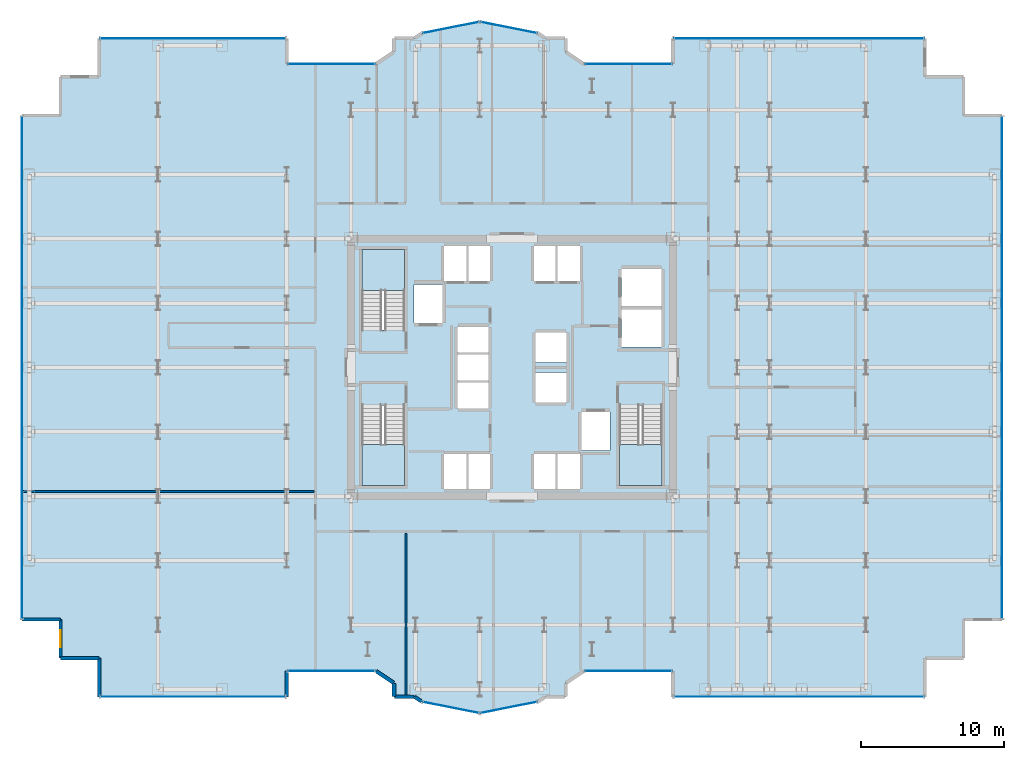
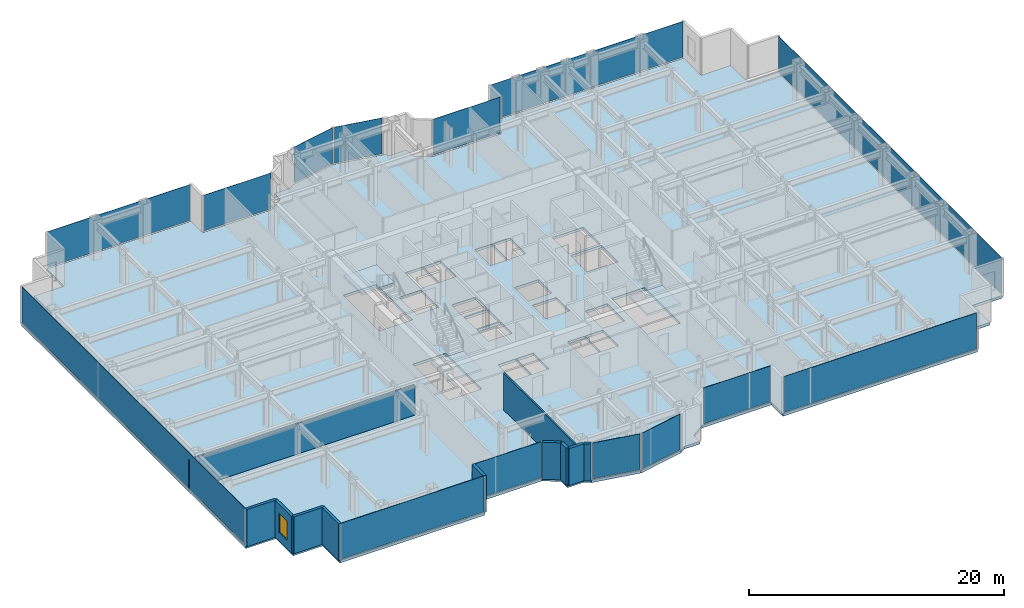
# One storey, part 19 of 26: 14 plates, 11 walls, 4 slabs, 1 window, 1 opening, 17 elements without a shape of their own.
"""IFC4 building model written with IfcOpenShell, lengths in metres."""

from ifc_helpers import new_model, si_unit, direction, frame, frame_2d, origin, origin_2d, place, context, subcontext, project, spatial, polyline, rectangle, outline, extrude, source, transform, mapped, material, layer, layer_set, type_object, element, fill, aggregate, save


model = new_model("IFC4")

# Units and contexts
model_context = context("Model", 3, precision=1e-05, world=origin(), true_north=direction((0.0, 1.0)))
body_context = subcontext(model_context, "Body", "Model", "MODEL_VIEW")
ifc_project = project(units=[si_unit("LENGTHUNIT", "METRE"), si_unit("AREAUNIT", "SQUARE_METRE"), si_unit("VOLUMEUNIT", "CUBIC_METRE"), si_unit("PLANEANGLEUNIT", "RADIAN"), si_unit("MASSUNIT", "GRAM", prefix="KILO")], contexts=[model_context])

# Site, building, storey
site_placement = place(None, origin())
site = spatial("IfcSite", under=ifc_project, at=site_placement, CompositionType="ELEMENT")
building_placement = place(site_placement, origin())
building = spatial("IfcBuilding", under=site, at=building_placement, Name="Nefas-Gora Pilgrimage Tower", CompositionType="ELEMENT")
storey_placement = place(building_placement, frame((0.0, 0.0, 132.60009765625)))
storey = spatial("IfcBuildingStorey", under=building, at=storey_placement, Name="L32", CompositionType="ELEMENT", Elevation=132.60009765625)

# Slab
ifc_material_1 = material(Name="Concrete C40/50", Category="concrete")
ifc_layer_1 = layer(ifc_material_1, 0.25)
ifc_layer_set_1 = layer_set([ifc_layer_1], Name="Concrete C40/50")
slab_type_1 = type_object("IfcSlabType", Name="SLB-TWR-250", PredefinedType="FLOOR", material=ifc_layer_set_1)
slab_1_placement = place(storey_placement, frame((0.0, 0.0, -0.25)))
element("IfcSlab", 1, at=slab_1_placement, inside=storey, type_object=slab_type_1, Name="L32 Structural Floor Slab", PredefinedType="FLOOR", context=body_context, shape_type="SweptSolid", body=[
    extrude(outline(polyline([(5.01806640625, -21.219970703125), (11.25, -21.219970703125), (11.25, -23.02001953125), (28.8701171875, -23.02001953125), (28.8701171875, -20.320068359375), (31.570068359375, -20.320068359375), (31.570068359375, -17.6201171875), (34.27001953125, -17.6201171875), (34.27001953125, 17.6201171875), (31.570068359375, 17.6201171875), (31.570068359375, 20.320068359375), (28.8701171875, 20.320068359375), (28.8701171875, 23.02001953125), (11.25, 23.02001953125), (11.25, 21.219970703125), (5.01806640625, 21.219970703125), (3.75, 22.0673828125), (3.75, 23.02001953125), (2.32421875, 23.02001953125), (1.807373046875, 23.365234375), (-2.25, 24.17236328125), (-6.307373046875, 23.365234375), (-6.82421875, 23.02001953125), (-8.25, 23.02001953125), (-8.25, 22.0673828125), (-9.51806640625, 21.219970703125), (-15.75, 21.219970703125), (-15.75, 23.02001953125), (-28.8701171875, 23.02001953125), (-28.8701171875, 20.320068359375), (-31.570068359375, 20.320068359375), (-31.570068359375, 17.6201171875), (-34.27001953125, 17.6201171875), (-34.27001953125, -17.6201171875), (-31.570068359375, -17.6201171875), (-31.570068359375, -20.320068359375), (-28.8701171875, -20.320068359375), (-28.8701171875, -23.02001953125), (-15.75, -23.02001953125), (-15.75, -21.219970703125), (-9.51806640625, -21.219970703125), (-8.25, -22.0673828125), (-8.25, -23.02001953125), (-6.82421875, -23.02001953125), (-6.307373046875, -23.365234375), (-2.25, -24.17236328125), (1.807373046875, -23.365234375), (2.32421875, -23.02001953125), (3.75, -23.02001953125), (3.75, -22.0673828125), (5.01806640625, -21.219970703125)]), holes=[polyline([(-10.5, 2.639892578125), (-10.5, 8.25), (-7.5, 8.25), (-7.5, 2.639892578125), (-10.5, 2.639892578125)]), polyline([(10.5, -2.639892578125), (10.5, -8.25), (7.5, -8.25), (7.5, -2.639892578125), (10.5, -2.639892578125)]), polyline([(-7.5, -2.639892578125), (-7.5, -8.25), (-10.5, -8.25), (-10.5, -2.639892578125), (-7.5, -2.639892578125)]), polyline([(-6.85009765625, 5.800048828125), (-4.85009765625, 5.800048828125), (-4.85009765625, 3.10009765625), (-6.85009765625, 3.10009765625), (-6.85009765625, 5.800048828125)]), polyline([(4.85009765625, -3.10009765625), (6.85009765625, -3.10009765625), (6.85009765625, -5.800048828125), (4.85009765625, -5.800048828125), (4.85009765625, -3.10009765625)]), polyline([(7.64990234375, 4.050048828125), (10.449951171875, 4.050048828125), (10.449951171875, 1.449951171875), (7.64990234375, 1.449951171875), (7.64990234375, 4.050048828125)]), polyline([(7.64990234375, 6.89990234375), (10.449951171875, 6.89990234375), (10.449951171875, 4.300048828125), (7.64990234375, 4.300048828125), (7.64990234375, 6.89990234375)]), polyline([(-4.75, 8.5), (-3.14990234375, 8.5), (-3.14990234375, 6.050048828125), (-4.75, 6.050048828125), (-4.75, 8.5)]), polyline([(-3.10009765625, 8.5), (-1.550048828125, 8.5), (-1.550048828125, 6.050048828125), (-3.10009765625, 6.050048828125), (-3.10009765625, 8.5)]), polyline([(1.550048828125, 8.5), (3.10009765625, 8.5), (3.10009765625, 6.050048828125), (1.550048828125, 6.050048828125), (1.550048828125, 8.5)]), polyline([(3.14990234375, 8.5), (4.75, 8.5), (4.75, 6.050048828125), (3.14990234375, 6.050048828125), (3.14990234375, 8.5)]), polyline([(-4.75, -6.050048828125), (-3.14990234375, -6.050048828125), (-3.14990234375, -8.5), (-4.75, -8.5), (-4.75, -6.050048828125)]), polyline([(-3.10009765625, -6.050048828125), (-1.550048828125, -6.050048828125), (-1.550048828125, -8.5), (-3.10009765625, -8.5), (-3.10009765625, -6.050048828125)]), polyline([(1.550048828125, -6.050048828125), (3.10009765625, -6.050048828125), (3.10009765625, -8.5), (1.550048828125, -8.5), (1.550048828125, -6.050048828125)]), polyline([(3.14990234375, -6.050048828125), (4.75, -6.050048828125), (4.75, -8.5), (3.14990234375, -8.5), (3.14990234375, -6.050048828125)]), polyline([(-3.800048828125, -1.050048828125), (-1.64990234375, -1.050048828125), (-1.64990234375, -2.85009765625), (-3.800048828125, -2.85009765625), (-3.800048828125, -1.050048828125)]), polyline([(-3.800048828125, 0.89990234375), (-1.64990234375, 0.89990234375), (-1.64990234375, -0.89990234375), (-3.800048828125, -0.89990234375), (-3.800048828125, 0.89990234375)]), polyline([(-3.800048828125, 2.85009765625), (-1.64990234375, 2.85009765625), (-1.64990234375, 1.050048828125), (-3.800048828125, 1.050048828125), (-3.800048828125, 2.85009765625)]), polyline([(1.64990234375, -0.35009765625), (3.800048828125, -0.35009765625), (3.800048828125, -2.449951171875), (1.64990234375, -2.449951171875), (1.64990234375, -0.35009765625)]), polyline([(1.64990234375, 2.449951171875), (3.800048828125, 2.449951171875), (3.800048828125, 0.35009765625), (1.64990234375, 0.35009765625), (1.64990234375, 2.449951171875)])]), origin(), (0.0, 0.0, 1.0), 0.25),
])

# Stair, slab
ifc_material_2 = material(Name="Concrete C45/55", Category="concrete")
stair_type = type_object("IfcStairType", Name="STR-1400-R1727", PredefinedType="HALF_TURN_STAIR", material=ifc_material_2)
stair_1_placement = place(storey_placement, origin())
stair_1 = element("IfcStair", 2, at=stair_1_placement, inside=storey, type_object=stair_type, Name="L32 Pressurised Tower Exit Stair ST-01", PredefinedType="HALF_TURN_STAIR")
ifc_layer_2 = layer(ifc_material_1, 0.199951171875)
ifc_layer_set_2 = layer_set([ifc_layer_2], Name="Concrete C40/50")
slab_type_2 = type_object("IfcSlabType", Name="STR-LAND-200", PredefinedType="LANDING", material=ifc_layer_set_2)
slab_2_placement = place(storey_placement, frame((0.0, 0.0, 1.699951171875)))
slab_2 = element("IfcSlab", 3, at=slab_2_placement, type_object=slab_type_2, Name="ST-01 landing 1", PredefinedType="LANDING", context=body_context, shape_type="SweptSolid", body=[
    extrude(outline(polyline([(-7.5, 5.39990234375), (-7.5, 8.25), (-10.5, 8.25), (-10.5, 5.39990234375), (-7.5, 5.39990234375)])), origin(), (0.0, 0.0, 1.0), 0.199951171875),
])
aggregate(stair_1, [slab_2])

stair_2_placement = place(storey_placement, origin())
stair_2 = element("IfcStair", 4, at=stair_2_placement, inside=storey, type_object=stair_type, Name="L32 Pressurised Tower Exit Stair ST-02", PredefinedType="HALF_TURN_STAIR")
slab_3_placement = place(storey_placement, frame((0.0, 0.0, 1.699951171875)))
slab_3 = element("IfcSlab", 5, at=slab_3_placement, type_object=slab_type_2, Name="ST-02 landing 1", PredefinedType="LANDING", context=body_context, shape_type="SweptSolid", body=[
    extrude(outline(polyline([(7.5, -5.39990234375), (7.5, -8.25), (10.5, -8.25), (10.5, -5.39990234375), (7.5, -5.39990234375)])), origin(), (0.0, 0.0, 1.0), 0.199951171875),
])
aggregate(stair_2, [slab_3])

stair_3_placement = place(storey_placement, origin())
stair_3 = element("IfcStair", 6, at=stair_3_placement, inside=storey, type_object=stair_type, Name="L32 Pressurised Tower Exit Stair ST-03", PredefinedType="HALF_TURN_STAIR")
slab_4_placement = place(storey_placement, frame((0.0, 0.0, 1.699951171875)))
slab_4 = element("IfcSlab", 7, at=slab_4_placement, type_object=slab_type_2, Name="ST-03 landing 1", PredefinedType="LANDING", context=body_context, shape_type="SweptSolid", body=[
    extrude(outline(polyline([(-10.5, -5.39990234375), (-10.5, -8.25), (-7.5, -8.25), (-7.5, -5.39990234375), (-10.5, -5.39990234375)])), origin(), (0.0, 0.0, 1.0), 0.199951171875),
])
aggregate(stair_3, [slab_4])

# Curtain wall, plate
ifc_material_3 = material(Name="Dark ceramic-fritted solar-control aluminium-glass curtain wall", Category="aluminium")
ifc_layer_3 = layer(ifc_material_3, 0.219970703125)
ifc_layer_set_3 = layer_set([ifc_layer_3], Name="Dark ceramic-fritted solar-control aluminium-glass curtain wall")
curtain_wall_type_1 = type_object("IfcCurtainWallType", Name="CW-SYS-5", PredefinedType="NOTDEFINED", material=ifc_layer_set_3)
curtain_wall_1_placement = place(storey_placement, origin())
curtain_wall_1 = element("IfcCurtainWall", 8, at=curtain_wall_1_placement, inside=storey, type_object=curtain_wall_type_1, Name="L32 Unitised Curtain Wall CW5", PredefinedType="NOTDEFINED")
ifc_material_4 = material(Name="Dark ceramic-printed low-e insulated glass", Category="glass")
ifc_layer_4 = layer(ifc_material_4, 0.028076171875)
ifc_layer_set_4 = layer_set([ifc_layer_4], Name="Dark ceramic-printed low-e insulated glass")
plate_type_1 = type_object("IfcPlateType", Name="CWP-PNL-5", PredefinedType="CURTAIN_PANEL", material=ifc_layer_set_4)
shared_shape_1 = source(origin(), body_context, "Body", "SweptSolid", [
    extrude(rectangle(XDim=6.052001953125, YDim=0.028076171875, at=origin_2d()), origin(), (0.0, 0.0, 1.0), 3.43994140625),
])
plate_1_placement = place(storey_placement, frame((8.134033203125, -21.219970703125, 0.099853515625), z_axis=(0.0, 0.0, 1.0), x_axis=(1.0, 0.0, 0.0)))
plate_1 = element("IfcPlate", 9, at=plate_1_placement, type_object=plate_type_1, Name="CW5 Ceramic-Fritted Glazing Panel 1", PredefinedType="CURTAIN_PANEL", context=body_context, shape_type="MappedRepresentation", body=[
    mapped(shared_shape_1, transform((0.0, 0.0, 0.0), x_axis=(1.0, 0.0, 0.0), y_axis=(0.0, 1.0, 0.0), z_axis=(0.0, 0.0, 1.0), scale=1.0)),
])
aggregate(curtain_wall_1, [plate_1])

curtain_wall_2_placement = place(storey_placement, origin())
curtain_wall_2 = element("IfcCurtainWall", 10, at=curtain_wall_2_placement, inside=storey, type_object=curtain_wall_type_1, Name="L32 Unitised Curtain Wall CW5", PredefinedType="NOTDEFINED")
plate_2_placement = place(storey_placement, frame((8.134033203125, 21.219970703125, 0.099853515625), z_axis=(0.0, 0.0, 1.0), x_axis=(-1.0, 0.0, 0.0)))
plate_2 = element("IfcPlate", 11, at=plate_2_placement, type_object=plate_type_1, Name="CW5 Ceramic-Fritted Glazing Panel 1", PredefinedType="CURTAIN_PANEL", context=body_context, shape_type="MappedRepresentation", body=[
    mapped(shared_shape_1, transform((0.0, 0.0, 0.0), x_axis=(1.0, 0.0, 0.0), y_axis=(0.0, 1.0, 0.0), z_axis=(0.0, 0.0, 1.0), scale=1.0)),
])
aggregate(curtain_wall_2, [plate_2])

curtain_wall_3_placement = place(storey_placement, origin())
curtain_wall_3 = element("IfcCurtainWall", 12, at=curtain_wall_3_placement, inside=storey, type_object=curtain_wall_type_1, Name="L32 Unitised Curtain Wall CW5", PredefinedType="NOTDEFINED")
plate_3_placement = place(storey_placement, frame((-12.634033203125, 21.219970703125, 0.099853515625), z_axis=(0.0, 0.0, 1.0), x_axis=(-1.0, 0.0, 0.0)))
plate_3 = element("IfcPlate", 13, at=plate_3_placement, type_object=plate_type_1, Name="CW5 Ceramic-Fritted Glazing Panel 1", PredefinedType="CURTAIN_PANEL", context=body_context, shape_type="MappedRepresentation", body=[
    mapped(shared_shape_1, transform((0.0, 0.0, 0.0), x_axis=(1.0, 0.0, 0.0), y_axis=(0.0, 1.0, 0.0), z_axis=(0.0, 0.0, 1.0), scale=1.0)),
])
aggregate(curtain_wall_3, [plate_3])

curtain_wall_4_placement = place(storey_placement, origin())
curtain_wall_4 = element("IfcCurtainWall", 14, at=curtain_wall_4_placement, inside=storey, type_object=curtain_wall_type_1, Name="L32 Unitised Curtain Wall CW5", PredefinedType="NOTDEFINED")
plate_4_placement = place(storey_placement, frame((-12.634033203125, -21.219970703125, 0.099853515625), z_axis=(0.0, 0.0, 1.0), x_axis=(1.0, 0.0, 0.0)))
plate_4 = element("IfcPlate", 15, at=plate_4_placement, type_object=plate_type_1, Name="CW5 Ceramic-Fritted Glazing Panel 1", PredefinedType="CURTAIN_PANEL", context=body_context, shape_type="MappedRepresentation", body=[
    mapped(shared_shape_1, transform((0.0, 0.0, 0.0), x_axis=(1.0, 0.0, 0.0), y_axis=(0.0, 1.0, 0.0), z_axis=(0.0, 0.0, 1.0), scale=1.0)),
])
aggregate(curtain_wall_4, [plate_4])

ifc_layer_5 = layer(ifc_material_3, 0.219970703125)
ifc_layer_set_5 = layer_set([ifc_layer_5], Name="Dark ceramic-fritted solar-control aluminium-glass curtain wall")
curtain_wall_type_2 = type_object("IfcCurtainWallType", Name="CW-SYS-2", PredefinedType="NOTDEFINED", material=ifc_layer_set_5)
curtain_wall_5_placement = place(storey_placement, origin())
curtain_wall_5 = element("IfcCurtainWall", 16, at=curtain_wall_5_placement, inside=storey, type_object=curtain_wall_type_2, Name="L32 Unitised Curtain Wall CW2", PredefinedType="NOTDEFINED")
ifc_layer_6 = layer(ifc_material_4, 0.031982421875)
ifc_layer_set_6 = layer_set([ifc_layer_6], Name="Dark ceramic-printed low-e insulated glass")
plate_type_2 = type_object("IfcPlateType", Name="CWP-PNL-2", PredefinedType="CURTAIN_PANEL", material=ifc_layer_set_6)
shared_shape_2 = source(origin(), body_context, "Body", "SweptSolid", [
    extrude(rectangle(XDim=17.43994140625, YDim=0.031982421875, at=origin_2d()), origin(), (0.0, 0.0, 1.0), 3.43994140625),
])
plate_5_placement = place(storey_placement, frame((20.06005859375, -23.02001953125, 0.099853515625), z_axis=(0.0, 0.0, 1.0), x_axis=(1.0, 0.0, 0.0)))
plate_5 = element("IfcPlate", 17, at=plate_5_placement, type_object=plate_type_2, Name="CW2 Ceramic-Fritted Glazing Panel 1", PredefinedType="CURTAIN_PANEL", context=body_context, shape_type="MappedRepresentation", body=[
    mapped(shared_shape_2, transform((0.0, 0.0, 0.0), x_axis=(1.0, 0.0, 0.0), y_axis=(0.0, 1.0, 0.0), z_axis=(0.0, 0.0, 1.0), scale=1.0)),
])
aggregate(curtain_wall_5, [plate_5])

curtain_wall_6_placement = place(storey_placement, origin())
curtain_wall_6 = element("IfcCurtainWall", 18, at=curtain_wall_6_placement, inside=storey, type_object=curtain_wall_type_2, Name="L32 Unitised Curtain Wall CW2", PredefinedType="NOTDEFINED")
plate_6_placement = place(storey_placement, frame((20.06005859375, 23.02001953125, 0.099853515625), z_axis=(0.0, 0.0, 1.0), x_axis=(-1.0, 0.0, 0.0)))
plate_6 = element("IfcPlate", 19, at=plate_6_placement, type_object=plate_type_2, Name="CW2 Ceramic-Fritted Glazing Panel 1", PredefinedType="CURTAIN_PANEL", context=body_context, shape_type="MappedRepresentation", body=[
    mapped(shared_shape_2, transform((0.0, 0.0, 0.0), x_axis=(1.0, 0.0, 0.0), y_axis=(0.0, 1.0, 0.0), z_axis=(0.0, 0.0, 1.0), scale=1.0)),
])
aggregate(curtain_wall_6, [plate_6])

curtain_wall_7_placement = place(storey_placement, origin())
curtain_wall_7 = element("IfcCurtainWall", 20, at=curtain_wall_7_placement, inside=storey, type_object=curtain_wall_type_1, Name="L32 Unitised Curtain Wall CW5", PredefinedType="NOTDEFINED")
shared_shape_3 = source(origin(), body_context, "Body", "SweptSolid", [
    extrude(rectangle(XDim=3.956787109375, YDim=0.028076171875, at=origin_2d()), origin(), (0.0, 0.0, 1.0), 3.43994140625),
])
plate_7_placement = place(storey_placement, frame((-0.22119140625, 23.768798828125, 0.099853515625), z_axis=(0.0, 0.0, 1.0), x_axis=(-0.980782896852, 0.195102304554, 0.0)))
plate_7 = element("IfcPlate", 21, at=plate_7_placement, type_object=plate_type_1, Name="CW5 Ceramic-Fritted Glazing Panel 1", PredefinedType="CURTAIN_PANEL", context=body_context, shape_type="MappedRepresentation", body=[
    mapped(shared_shape_3, transform((0.0, 0.0, 0.0), x_axis=(1.0, 0.0, 0.0), y_axis=(0.0, 1.0, 0.0), z_axis=(0.0, 0.0, 1.0), scale=1.0)),
])
aggregate(curtain_wall_7, [plate_7])

curtain_wall_8_placement = place(storey_placement, origin())
curtain_wall_8 = element("IfcCurtainWall", 22, at=curtain_wall_8_placement, inside=storey, type_object=curtain_wall_type_1, Name="L32 Unitised Curtain Wall CW5", PredefinedType="NOTDEFINED")
plate_8_placement = place(storey_placement, frame((-4.278564453125, 23.768798828125, 0.099853515625), z_axis=(0.0, 0.0, 1.0), x_axis=(-0.980782896852, -0.195102304554, 0.0)))
plate_8 = element("IfcPlate", 23, at=plate_8_placement, type_object=plate_type_1, Name="CW5 Ceramic-Fritted Glazing Panel 1", PredefinedType="CURTAIN_PANEL", context=body_context, shape_type="MappedRepresentation", body=[
    mapped(shared_shape_3, transform((0.0, 0.0, 0.0), x_axis=(1.0, 0.0, 0.0), y_axis=(0.0, 1.0, 0.0), z_axis=(0.0, 0.0, 1.0), scale=1.0)),
])
aggregate(curtain_wall_8, [plate_8])

curtain_wall_9_placement = place(storey_placement, origin())
curtain_wall_9 = element("IfcCurtainWall", 24, at=curtain_wall_9_placement, inside=storey, type_object=curtain_wall_type_1, Name="L32 Unitised Curtain Wall CW5", PredefinedType="NOTDEFINED")
plate_9_placement = place(storey_placement, frame((-4.278564453125, -23.768798828125, 0.099853515625), z_axis=(0.0, 0.0, 1.0), x_axis=(0.980782896852, -0.195102304554, 0.0)))
plate_9 = element("IfcPlate", 25, at=plate_9_placement, type_object=plate_type_1, Name="CW5 Ceramic-Fritted Glazing Panel 1", PredefinedType="CURTAIN_PANEL", context=body_context, shape_type="MappedRepresentation", body=[
    mapped(shared_shape_3, transform((0.0, 0.0, 0.0), x_axis=(1.0, 0.0, 0.0), y_axis=(0.0, 1.0, 0.0), z_axis=(0.0, 0.0, 1.0), scale=1.0)),
])
aggregate(curtain_wall_9, [plate_9])

curtain_wall_10_placement = place(storey_placement, origin())
curtain_wall_10 = element("IfcCurtainWall", 26, at=curtain_wall_10_placement, inside=storey, type_object=curtain_wall_type_1, Name="L32 Unitised Curtain Wall CW5", PredefinedType="NOTDEFINED")
plate_10_placement = place(storey_placement, frame((-0.221435546875, -23.768798828125, 0.099853515625), z_axis=(0.0, 0.0, 1.0), x_axis=(0.980782896852, 0.195102304554, 0.0)))
plate_10 = element("IfcPlate", 27, at=plate_10_placement, type_object=plate_type_1, Name="CW5 Ceramic-Fritted Glazing Panel 1", PredefinedType="CURTAIN_PANEL", context=body_context, shape_type="MappedRepresentation", body=[
    mapped(shared_shape_3, transform((0.0, 0.0, 0.0), x_axis=(1.0, 0.0, 0.0), y_axis=(0.0, 1.0, 0.0), z_axis=(0.0, 0.0, 1.0), scale=1.0)),
])
aggregate(curtain_wall_10, [plate_10])

curtain_wall_11_placement = place(storey_placement, origin())
curtain_wall_11 = element("IfcCurtainWall", 28, at=curtain_wall_11_placement, inside=storey, type_object=curtain_wall_type_2, Name="L32 Unitised Curtain Wall CW2", PredefinedType="NOTDEFINED")
shared_shape_4 = source(origin(), body_context, "Body", "SweptSolid", [
    extrude(rectangle(XDim=12.93994140625, YDim=0.031982421875, at=origin_2d()), origin(), (0.0, 0.0, 1.0), 3.43994140625),
])
plate_11_placement = place(storey_placement, frame((-22.31005859375, 23.02001953125, 0.099853515625), z_axis=(0.0, 0.0, 1.0), x_axis=(-1.0, 0.0, 0.0)))
plate_11 = element("IfcPlate", 29, at=plate_11_placement, type_object=plate_type_2, Name="CW2 Ceramic-Fritted Glazing Panel 1", PredefinedType="CURTAIN_PANEL", context=body_context, shape_type="MappedRepresentation", body=[
    mapped(shared_shape_4, transform((0.0, 0.0, 0.0), x_axis=(1.0, 0.0, 0.0), y_axis=(0.0, 1.0, 0.0), z_axis=(0.0, 0.0, 1.0), scale=1.0)),
])
aggregate(curtain_wall_11, [plate_11])

curtain_wall_12_placement = place(storey_placement, origin())
curtain_wall_12 = element("IfcCurtainWall", 30, at=curtain_wall_12_placement, inside=storey, type_object=curtain_wall_type_2, Name="L32 Unitised Curtain Wall CW2", PredefinedType="NOTDEFINED")
plate_12_placement = place(storey_placement, frame((-22.31005859375, -23.02001953125, 0.099853515625), z_axis=(0.0, 0.0, 1.0), x_axis=(1.0, 0.0, 0.0)))
plate_12 = element("IfcPlate", 31, at=plate_12_placement, type_object=plate_type_2, Name="CW2 Ceramic-Fritted Glazing Panel 1", PredefinedType="CURTAIN_PANEL", context=body_context, shape_type="MappedRepresentation", body=[
    mapped(shared_shape_4, transform((0.0, 0.0, 0.0), x_axis=(1.0, 0.0, 0.0), y_axis=(0.0, 1.0, 0.0), z_axis=(0.0, 0.0, 1.0), scale=1.0)),
])
aggregate(curtain_wall_12, [plate_12])

curtain_wall_13_placement = place(storey_placement, origin())
curtain_wall_13 = element("IfcCurtainWall", 32, at=curtain_wall_13_placement, inside=storey, type_object=curtain_wall_type_2, Name="L32 Unitised Curtain Wall CW2", PredefinedType="NOTDEFINED")
shared_shape_5 = source(origin(), body_context, "Body", "SweptSolid", [
    extrude(rectangle(XDim=35.06005859375, YDim=0.031982421875, at=origin_2d()), origin(), (0.0, 0.0, 1.0), 3.43994140625),
])
plate_13_placement = place(storey_placement, frame((34.27001953125, 0.0, 0.099853515625), z_axis=(0.0, 0.0, 1.0), x_axis=(0.0, 1.0, 0.0)))
plate_13 = element("IfcPlate", 33, at=plate_13_placement, type_object=plate_type_2, Name="CW2 Ceramic-Fritted Glazing Panel 1", PredefinedType="CURTAIN_PANEL", context=body_context, shape_type="MappedRepresentation", body=[
    mapped(shared_shape_5, transform((0.0, 0.0, 0.0), x_axis=(1.0, 0.0, 0.0), y_axis=(0.0, 1.0, 0.0), z_axis=(0.0, 0.0, 1.0), scale=1.0)),
])
aggregate(curtain_wall_13, [plate_13])

curtain_wall_14_placement = place(storey_placement, origin())
curtain_wall_14 = element("IfcCurtainWall", 34, at=curtain_wall_14_placement, inside=storey, type_object=curtain_wall_type_2, Name="L32 Unitised Curtain Wall CW2", PredefinedType="NOTDEFINED")
plate_14_placement = place(storey_placement, frame((-34.27001953125, 0.0, 0.099853515625), z_axis=(0.0, 0.0, 1.0), x_axis=(0.0, -1.0, 0.0)))
plate_14 = element("IfcPlate", 35, at=plate_14_placement, type_object=plate_type_2, Name="CW2 Ceramic-Fritted Glazing Panel 1", PredefinedType="CURTAIN_PANEL", context=body_context, shape_type="MappedRepresentation", body=[
    mapped(shared_shape_5, transform((0.0, 0.0, 0.0), x_axis=(1.0, 0.0, 0.0), y_axis=(0.0, 1.0, 0.0), z_axis=(0.0, 0.0, 1.0), scale=1.0)),
])
aggregate(curtain_wall_14, [plate_14])

# Walls
ifc_material_5 = material(Name="Precast concrete C40/50", Category="concrete")
ifc_layer_7 = layer(ifc_material_5, 0.260009765625)
ifc_layer_set_7 = layer_set([ifc_layer_7], Name="Precast concrete C40/50")
wall_type_1 = type_object("IfcWallType", Name="EW-PORTAL-260", PredefinedType="SOLIDWALL", material=ifc_layer_set_7)
shared_shape_6 = source(origin(), body_context, "Body", "SweptSolid", [
    extrude(rectangle(XDim=1.800048828125, YDim=0.260009765625, at=frame_2d((0.89990234375, 0.0))), origin(), (0.0, 0.0, 1.0), 3.5498046875),
])
wall_1_placement = place(storey_placement, frame((-15.75, -23.02001953125, 0.0), z_axis=(0.0, 0.0, 1.0), x_axis=(0.0, 1.0, 0.0)))
element("IfcWall", 36, at=wall_1_placement, inside=storey, type_object=wall_type_1, Name="L32 Lobe Shoulder Precast Spandrel Pier 28", PredefinedType="SOLIDWALL", context=body_context, shape_type="MappedRepresentation", body=[
    mapped(shared_shape_6, transform((0.0, 0.0, 0.0), x_axis=(1.0, 0.0, 0.0), y_axis=(0.0, 1.0, 0.0), z_axis=(0.0, 0.0, 1.0), scale=1.0)),
])
ifc_material_6 = material(Name="Precast concrete C45/55", Category="concrete")
ifc_layer_8 = layer(ifc_material_6, 0.239990234375)
ifc_layer_set_8 = layer_set([ifc_layer_8], Name="Precast concrete C45/55")
wall_type_2 = type_object("IfcWallType", Name="EW-SERR-240", PredefinedType="SHEAR", material=ifc_layer_set_8)
shared_shape_7 = source(origin(), body_context, "Body", "SweptSolid", [
    extrude(rectangle(XDim=2.699951171875, YDim=0.239990234375, at=frame_2d((1.35009765625, 0.0))), origin(), (0.0, 0.0, 1.0), 3.5498046875),
])
wall_2_placement = place(storey_placement, frame((-34.27001953125, -17.6201171875, 0.0), z_axis=(0.0, 0.0, 1.0), x_axis=(1.0, 0.0, 0.0)))
element("IfcWall", 37, at=wall_2_placement, inside=storey, type_object=wall_type_2, Name="L32 Serrated Corner Shear Pier Wall 24", PredefinedType="SHEAR", context=body_context, shape_type="MappedRepresentation", body=[
    mapped(shared_shape_7, transform((0.0, 0.0, 0.0), x_axis=(1.0, 0.0, 0.0), y_axis=(0.0, 1.0, 0.0), z_axis=(0.0, 0.0, 1.0), scale=1.0)),
])

# Wall, opening, window
wall_3_placement = place(storey_placement, frame((-31.570068359375, -17.6201171875, 0.0), z_axis=(0.0, 0.0, 1.0), x_axis=(0.0, -1.0, 0.0)))
wall_3 = element("IfcWall", 38, at=wall_3_placement, inside=storey, type_object=wall_type_2, Name="L32 Serrated Corner Shear Pier Wall 25", PredefinedType="SHEAR", context=body_context, shape_type="MappedRepresentation", body=[
    mapped(shared_shape_7, transform((0.0, 0.0, 0.0), x_axis=(1.0, 0.0, 0.0), y_axis=(0.0, 1.0, 0.0), z_axis=(0.0, 0.0, 1.0), scale=1.0)),
])
opening_placement = place(wall_3_placement, frame((0.75, 0.0, 0.85009765625)))
opening = element("IfcOpeningElement", 39, at=opening_placement, cuts=wall_3, Name="Opening W-V1", PredefinedType="OPENING", context=body_context, shape_type="SweptSolid", body=[
    extrude(rectangle(XDim=1.199951171875, YDim=1.800048828125, at=frame_2d((0.60009765625, 0.89990234375))), frame((0.0, 0.1298828125, 0.0), z_axis=(0.0, -1.0, 0.0), x_axis=(1.0, 0.0, 0.0)), (0.0, 0.0, 1.0), 0.260009765625),
])
ifc_material_7 = material(Name="Dark ceramic-fritted operable aluminium-glass window", Category="aluminium")
window_type = type_object("IfcWindowType", Name="WIN-VENT-1200x1800", PartitioningType="SINGLE_PANEL", PredefinedType="WINDOW", material=ifc_material_7)
shared_shape_8 = source(origin(), body_context, "Body", "SweptSolid", [
    extrude(rectangle(XDim=1.199951171875, YDim=1.800048828125, at=frame_2d((0.60009765625, 0.89990234375))), frame((0.0, 0.030029296875, 0.0), z_axis=(0.0, -1.0, 0.0), x_axis=(1.0, 0.0, 0.0)), (0.0, 0.0, 1.0), 0.06005859375),
])
window_placement = place(opening_placement, origin())
window = element("IfcWindow", 40, at=window_placement, inside=storey, type_object=window_type, Name="L32 Operable Parallel-Outswing Window 25", OverallHeight=1.800048828125, OverallWidth=1.199951171875, PartitioningType="SINGLE_PANEL", PredefinedType="WINDOW", context=body_context, shape_type="MappedRepresentation", body=[
    mapped(shared_shape_8, transform((0.0, 0.0, 0.0), x_axis=(1.0, 0.0, 0.0), y_axis=(0.0, 1.0, 0.0), z_axis=(0.0, 0.0, 1.0), scale=1.0)),
])
fill(opening, window)

# Walls
for number, where, z_axis, x_axis, name in (
    (41, (-31.570068359375, -20.320068359375, 0.0), (0.0, 0.0, 1.0), (1.0, 0.0, 0.0), "L32 Serrated Corner Shear Pier Wall 26"),
    (42, (-28.8701171875, -20.320068359375, 0.0), (0.0, 0.0, 1.0), (0.0, -1.0, 0.0), "L32 Serrated Corner Shear Pier Wall 27"),
):
    element("IfcWall", number, at=place(storey_placement, frame(where, z_axis=z_axis, x_axis=x_axis)), inside=storey, type_object=wall_type_2, Name=name, PredefinedType="SHEAR", context=body_context, shape_type="MappedRepresentation", body=[
        mapped(shared_shape_7, transform((0.0, 0.0, 0.0), x_axis=(1.0, 0.0, 0.0), y_axis=(0.0, 1.0, 0.0), z_axis=(0.0, 0.0, 1.0), scale=1.0)),
    ])
shared_shape_9 = source(origin(), body_context, "Body", "SweptSolid", [
    extrude(rectangle(XDim=1.468994140625, YDim=0.260009765625, at=frame_2d((0.734375, 0.0))), origin(), (0.0, 0.0, 1.0), 3.5498046875),
])
wall_4_placement = place(storey_placement, frame((-9.49462890625, -21.235595703125, 0.0), z_axis=(0.0, 0.0, 1.0), x_axis=(0.831461760506, -0.555581983884, 0.0)))
element("IfcWall", 43, at=wall_4_placement, inside=storey, type_object=wall_type_1, Name="L32 Lobe Shoulder Precast Spandrel Pier 29", PredefinedType="SOLIDWALL", context=body_context, shape_type="MappedRepresentation", body=[
    mapped(shared_shape_9, transform((0.0, 0.0, 0.0), x_axis=(1.0, 0.0, 0.0), y_axis=(0.0, 1.0, 0.0), z_axis=(0.0, 0.0, 1.0), scale=1.0)),
])
shared_shape_10 = source(origin(), body_context, "Body", "SweptSolid", [
    extrude(rectangle(XDim=0.896728515625, YDim=0.260009765625, at=frame_2d((0.4482421875, 0.0))), origin(), (0.0, 0.0, 1.0), 3.5498046875),
])
wall_5_placement = place(storey_placement, frame((-8.25, -22.09521484375, 0.0), z_axis=(0.0, 0.0, 1.0), x_axis=(0.0, -1.0, 0.0)))
element("IfcWall", 44, at=wall_5_placement, inside=storey, type_object=wall_type_1, Name="L32 Lobe Shoulder Precast Spandrel Pier 30", PredefinedType="SOLIDWALL", context=body_context, shape_type="MappedRepresentation", body=[
    mapped(shared_shape_10, transform((0.0, 0.0, 0.0), x_axis=(1.0, 0.0, 0.0), y_axis=(0.0, 1.0, 0.0), z_axis=(0.0, 0.0, 1.0), scale=1.0)),
])
shared_shape_11 = source(origin(), body_context, "Body", "SweptSolid", [
    extrude(rectangle(XDim=1.369873046875, YDim=0.260009765625, at=frame_2d((0.68505859375, 0.0))), origin(), (0.0, 0.0, 1.0), 3.5498046875),
])
wall_6_placement = place(storey_placement, frame((-8.221923828125, -23.02001953125, 0.0), z_axis=(0.0, 0.0, 1.0), x_axis=(1.0, 0.0, 0.0)))
element("IfcWall", 45, at=wall_6_placement, inside=storey, type_object=wall_type_1, Name="L32 Lobe Shoulder Precast Spandrel Pier 31", PredefinedType="SOLIDWALL", context=body_context, shape_type="MappedRepresentation", body=[
    mapped(shared_shape_11, transform((0.0, 0.0, 0.0), x_axis=(1.0, 0.0, 0.0), y_axis=(0.0, 1.0, 0.0), z_axis=(0.0, 0.0, 1.0), scale=1.0)),
])
shared_shape_12 = source(origin(), body_context, "Body", "SweptSolid", [
    extrude(rectangle(XDim=0.5654296875, YDim=0.260009765625, at=frame_2d((0.28271484375, 0.0))), origin(), (0.0, 0.0, 1.0), 3.5498046875),
])
wall_7_placement = place(storey_placement, frame((-6.80078125, -23.03564453125, 0.0), z_axis=(0.0, 0.0, 1.0), x_axis=(0.831651492666, -0.555297933317, 0.0)))
element("IfcWall", 46, at=wall_7_placement, inside=storey, type_object=wall_type_1, Name="L32 Lobe Shoulder Precast Spandrel Pier 32", PredefinedType="SOLIDWALL", context=body_context, shape_type="MappedRepresentation", body=[
    mapped(shared_shape_12, transform((0.0, 0.0, 0.0), x_axis=(1.0, 0.0, 0.0), y_axis=(0.0, 1.0, 0.0), z_axis=(0.0, 0.0, 1.0), scale=1.0)),
])
ifc_material_8 = material(Name="Gypsum twin-stud partition")
ifc_layer_9 = layer(ifc_material_8, 0.139892578125)
ifc_layer_set_9 = layer_set([ifc_layer_9], Name="Gypsum twin-stud partition")
wall_type_3 = type_object("IfcWallType", Name="IW-UNIT-140", PredefinedType="PARTITIONING", material=ifc_layer_set_9)
shared_shape_13 = source(origin(), body_context, "Body", "SweptSolid", [
    extrude(rectangle(XDim=11.260009765625, YDim=0.139892578125, at=frame_2d((5.6298828125, 0.0))), origin(), (0.0, 0.0, 1.0), 3.534912109375),
])
wall_8_placement = place(storey_placement, frame((-7.405029296875, -22.85009765625, 0.0), z_axis=(0.0, 0.0, 1.0), x_axis=(0.0, 1.0, 0.0)))
element("IfcWall", 47, at=wall_8_placement, inside=storey, type_object=wall_type_3, Name="L32 Pilgrim Contemplative Lounge Partition Wall 53", PredefinedType="PARTITIONING", context=body_context, shape_type="MappedRepresentation", body=[
    mapped(shared_shape_13, transform((0.0, 0.0, 0.0), x_axis=(1.0, 0.0, 0.0), y_axis=(0.0, 1.0, 0.0), z_axis=(0.0, 0.0, 1.0), scale=1.0)),
])
shared_shape_14 = source(origin(), body_context, "Body", "SweptSolid", [
    extrude(rectangle(XDim=20.43994140625, YDim=0.139892578125, at=frame_2d((10.219970703125, 0.0))), origin(), (0.0, 0.0, 1.0), 2.875),
])
wall_9_placement = place(storey_placement, frame((-34.2900390625, -8.677490234375, 0.0), z_axis=(0.0, 0.0, 1.0), x_axis=(1.0, 0.0, 0.0)))
element("IfcWall", 48, at=wall_9_placement, inside=storey, type_object=wall_type_3, Name="L32 Pilgrim Floor Concierge Foyer Partition Wall 28", PredefinedType="PARTITIONING", context=body_context, shape_type="MappedRepresentation", body=[
    mapped(shared_shape_14, transform((0.0, 0.0, 0.0), x_axis=(1.0, 0.0, 0.0), y_axis=(0.0, 1.0, 0.0), z_axis=(0.0, 0.0, 1.0), scale=1.0)),
])

save(model, "model.ifc")
